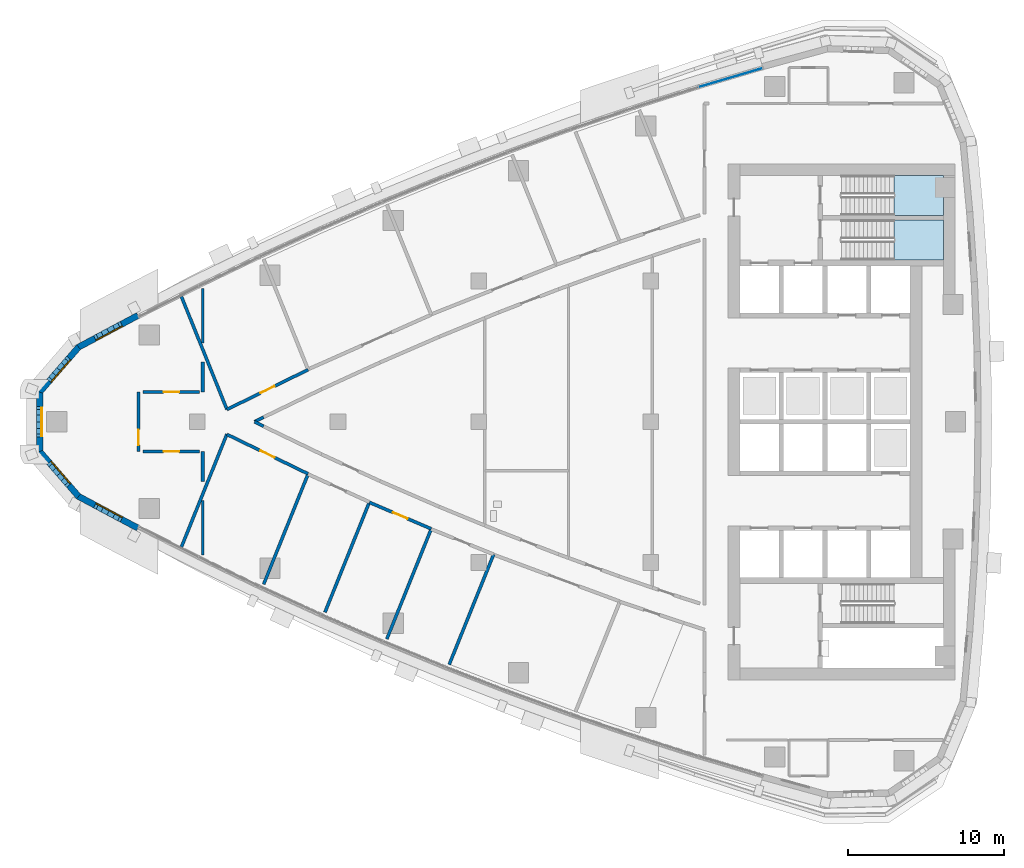
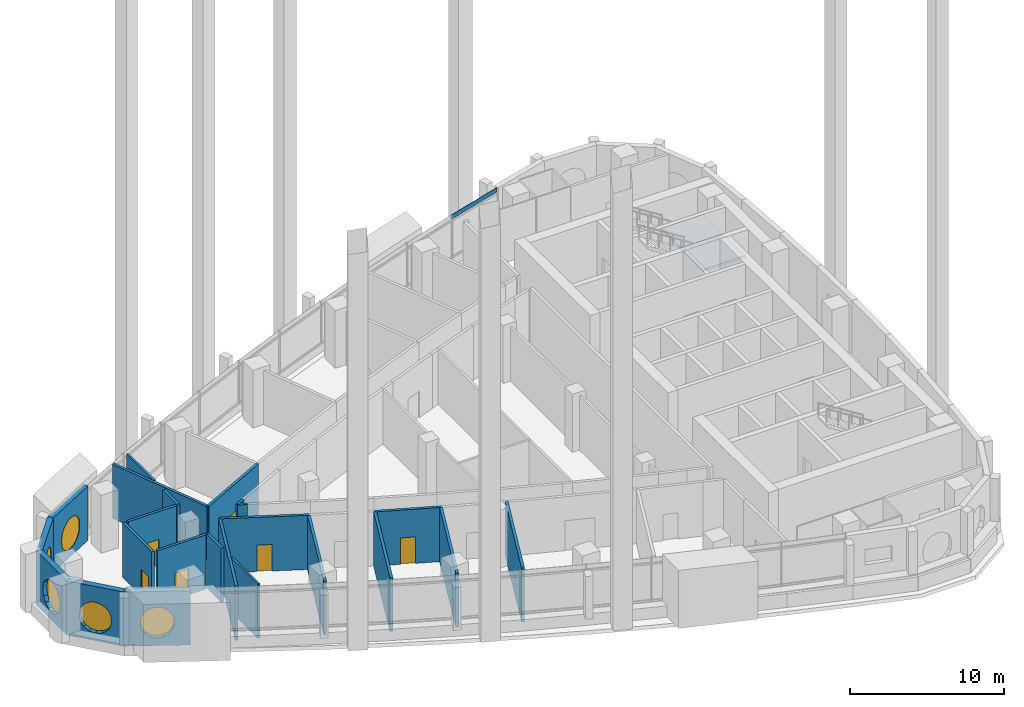
# One storey, part 7 of 19: 23 walls, 6 doors, 5 windows, 2 slabs, 1 plate, 11 openings, 3 elements without a shape of their own.
"""IFC4 building model written with IfcOpenShell, lengths in metres."""

from ifc_helpers import new_model, si_unit, direction, frame, frame_2d, origin, origin_2d, place, context, subcontext, project, spatial, polyline, rectangle, outline, extrude, material, layer, layer_set, type_object, element, fill, aggregate, save


model = new_model("IFC4")

# Units and contexts
model_context = context("Model", 3, precision=1e-05, world=origin(), true_north=direction((0.0, 1.0)))
body_context = subcontext(model_context, "Body", "Model", "MODEL_VIEW")
ifc_project = project(units=[si_unit("LENGTHUNIT", "METRE"), si_unit("AREAUNIT", "SQUARE_METRE"), si_unit("VOLUMEUNIT", "CUBIC_METRE"), si_unit("PLANEANGLEUNIT", "RADIAN"), si_unit("MASSUNIT", "GRAM", prefix="KILO")], contexts=[model_context])

# Site, building, storey
site_placement = place(None, origin())
site = spatial("IfcSite", under=ifc_project, at=site_placement, CompositionType="ELEMENT")
building_placement = place(site_placement, origin())
building = spatial("IfcBuilding", under=site, at=building_placement, Name="Ostrand Prow Hotel Tower", CompositionType="ELEMENT")
storey_placement = place(building_placement, frame((0.0, 0.0, 170.89990234375)))
storey = spatial("IfcBuildingStorey", under=building, at=storey_placement, Name="L42", CompositionType="ELEMENT", Elevation=170.89990234375)

# Curtain wall, plate
ifc_material_1 = material(Name="Insulated glass in bronze anodised frame", Category="glass")
ifc_layer_1 = layer(ifc_material_1, 0.199951171875)
ifc_layer_set_1 = layer_set([ifc_layer_1], Name="Insulated glass in bronze anodised frame")
curtain_wall_type = type_object("IfcCurtainWallType", Name="Sky lobby full-height curtain wall", PredefinedType="NOTDEFINED", material=ifc_layer_set_1)
curtain_wall_placement = place(storey_placement, origin())
curtain_wall = element("IfcCurtainWall", 1, at=curtain_wall_placement, inside=storey, type_object=curtain_wall_type, Name="CW3 run CWN1", PredefinedType="NOTDEFINED")
ifc_material_2 = material(Name="Low-iron clear glass", Category="glass")
ifc_layer_2 = layer(ifc_material_2, 0.031982421875)
ifc_layer_set_2 = layer_set([ifc_layer_2], Name="Low-iron clear glass")
plate_type = type_object("IfcPlateType", Name="Clear glass unit 32 mm", PredefinedType="CURTAIN_PANEL", material=ifc_layer_set_2)
plate_placement = place(storey_placement, frame((50.118896484375, 22.007080078125, 3.9599609375), z_axis=(0.0, 0.0, 1.0), x_axis=(-0.958662947758, -0.284544113619, 0.0)))
plate = element("IfcPlate", 2, at=plate_placement, type_object=plate_type, Name="CW3 PN-C panel 1.3", PredefinedType="CURTAIN_PANEL", context=body_context, shape_type="SweptSolid", body=[
    extrude(rectangle(XDim=4.2451171875, YDim=0.031982421875, at=origin_2d()), origin(), (0.0, 0.0, 1.0), 0.340087890625),
])
aggregate(curtain_wall, [plate])

# Stair, slab
ifc_material_3 = material(Name="Concrete C40/50", Category="concrete")
stair_type = type_object("IfcStairType", Name="Exit stair 1200 upper zone", PredefinedType="HALF_TURN_STAIR", material=ifc_material_3)
stair_1_placement = place(storey_placement, origin())
stair_1 = element("IfcStair", 3, at=stair_1_placement, inside=storey, type_object=stair_type, Name="L42 ST1C", PredefinedType="HALF_TURN_STAIR")
ifc_material_4 = material(Name="Concrete C40/50", Category="concrete")
ifc_layer_3 = layer(ifc_material_4, 0.199951171875)
ifc_layer_set_3 = layer_set([ifc_layer_3], Name="Concrete C40/50")
slab_type = type_object("IfcSlabType", Name="Stair landing 200 concrete", PredefinedType="LANDING", material=ifc_layer_set_3)
slab_1_placement = place(storey_placement, frame((0.0, 0.0, 2.10009765625)))
slab_1 = element("IfcSlab", 4, at=slab_1_placement, type_object=slab_type, Name="ST1C landing 1", PredefinedType="LANDING", context=body_context, shape_type="SweptSolid", body=[
    extrude(outline(polyline([(60.56005859375, 10.35009765625), (63.719970703125, 10.35009765625), (63.719970703125, 12.89990234375), (60.56005859375, 12.89990234375), (60.56005859375, 10.35009765625)])), origin(), (0.0, 0.0, 1.0), 0.199951171875),
])
aggregate(stair_1, [slab_1])

stair_2_placement = place(storey_placement, origin())
stair_2 = element("IfcStair", 5, at=stair_2_placement, inside=storey, type_object=stair_type, Name="L42 ST3C", PredefinedType="HALF_TURN_STAIR")
slab_2_placement = place(storey_placement, frame((0.0, 0.0, 2.10009765625)))
slab_2 = element("IfcSlab", 6, at=slab_2_placement, type_object=slab_type, Name="ST3C landing 1", PredefinedType="LANDING", context=body_context, shape_type="SweptSolid", body=[
    extrude(outline(polyline([(60.56005859375, 13.199951171875), (63.719970703125, 13.199951171875), (63.719970703125, 15.75), (60.56005859375, 15.75), (60.56005859375, 13.199951171875)])), origin(), (0.0, 0.0, 1.0), 0.199951171875),
])
aggregate(stair_2, [slab_2])

# Walls
ifc_material_5 = material(Name="Plasterboard partition")
ifc_layer_4 = layer(ifc_material_5, 0.14990234375)
ifc_layer_set_4 = layer_set([ifc_layer_4], Name="Plasterboard partition")
wall_type_1 = type_object("IfcWallType", Name="Partition 150 room partition", PredefinedType="PARTITIONING", material=ifc_layer_set_4)
for number, where, z_axis, x_axis, name in (
    (7, (16.35400390625, 8.519287109375, 0.0), (0.0, 0.0, 1.0), (0.0, -1.0, 0.0), "ROOM PARTITION"),
    (8, (16.35400390625, -5.0478515625, 0.0), (0.0, 0.0, 1.0), (0.0, -1.0, 0.0), "ROOM PARTITION"),
):
    element("IfcWall", number, at=place(storey_placement, frame(where, z_axis=z_axis, x_axis=x_axis)), inside=storey, type_object=wall_type_1, Name=name, PredefinedType="PARTITIONING", context=body_context, shape_type="SweptSolid", body=[
        extrude(rectangle(XDim=3.471435546875, YDim=0.14990234375, at=frame_2d((1.73583984375, 0.0))), origin(), (0.0, 0.0, 1.0), 4.300048828125),
    ])

# Wall, opening, door
ifc_material_6 = material(Name="Plasterboard partition")
ifc_layer_5 = layer(ifc_material_6, 0.199951171875)
ifc_layer_set_5 = layer_set([ifc_layer_5], Name="Plasterboard partition")
wall_type_2 = type_object("IfcWallType", Name="Partition 200 corridor wall", PredefinedType="PARTITIONING", material=ifc_layer_set_5)
wall_1_placement = place(storey_placement, frame((12.538818359375, 1.89990234375, 0.0), z_axis=(0.0, 0.0, 1.0), x_axis=(1.0, 0.0, 0.0)))
wall_1 = element("IfcWall", 9, at=wall_1_placement, inside=storey, type_object=wall_type_2, Name="CORRIDOR WALL", PredefinedType="PARTITIONING", context=body_context, shape_type="SweptSolid", body=[
    extrude(rectangle(XDim=3.615234375, YDim=0.199951171875, at=frame_2d((1.8076171875, 0.0))), origin(), (0.0, 0.0, 1.0), 4.300048828125),
])
opening_1_placement = place(wall_1_placement, frame((1.3076171875, 0.0, 0.0)))
opening_1 = element("IfcOpeningElement", 10, at=opening_1_placement, cuts=wall_1, Name="Opening D1", PredefinedType="OPENING", context=body_context, shape_type="SweptSolid", body=[
    extrude(rectangle(XDim=1.0, YDim=2.10009765625, at=frame_2d((0.5, 1.050048828125))), frame((0.0, 0.10986328125, 0.0), z_axis=(0.0, -1.0, 0.0), x_axis=(1.0, 0.0, 0.0)), (0.0, 0.0, 1.0), 0.219970703125),
])
ifc_material_7 = material(Name="Timber door leaf", Category="wood")
door_type_1 = type_object("IfcDoorType", Name="Guest room door 1000", OperationType="SINGLE_SWING_LEFT", PredefinedType="DOOR", material=ifc_material_7)
door_1_placement = place(opening_1_placement, origin())
door_1 = element("IfcDoor", 11, at=door_1_placement, inside=storey, type_object=door_type_1, Name="DOOR", OperationType="SINGLE_SWING_LEFT", OverallHeight=2.10009765625, OverallWidth=1.0, PredefinedType="DOOR", context=body_context, shape_type="SweptSolid", body=[
    extrude(rectangle(XDim=1.0, YDim=2.10009765625, at=frame_2d((0.5, 1.050048828125))), frame((0.0, 0.02490234375, 0.0), z_axis=(0.0, -1.0, 0.0), x_axis=(1.0, 0.0, 0.0)), (0.0, 0.0, 1.0), 0.050048828125),
])
fill(opening_1, door_1)

wall_2_placement = place(storey_placement, frame((12.538818359375, -1.89990234375, 0.0), z_axis=(0.0, 0.0, 1.0), x_axis=(1.0, 0.0, 0.0)))
wall_2 = element("IfcWall", 12, at=wall_2_placement, inside=storey, type_object=wall_type_2, Name="CORRIDOR WALL", PredefinedType="PARTITIONING", context=body_context, shape_type="SweptSolid", body=[
    extrude(rectangle(XDim=3.615234375, YDim=0.199951171875, at=frame_2d((1.8076171875, 0.0))), origin(), (0.0, 0.0, 1.0), 4.300048828125),
])
opening_2_placement = place(wall_2_placement, frame((1.3076171875, 0.0, 0.0)))
opening_2 = element("IfcOpeningElement", 13, at=opening_2_placement, cuts=wall_2, Name="Opening D1R", PredefinedType="OPENING", context=body_context, shape_type="SweptSolid", body=[
    extrude(rectangle(XDim=1.0, YDim=2.10009765625, at=frame_2d((0.5, 1.050048828125))), frame((0.0, 0.10986328125, 0.0), z_axis=(0.0, -1.0, 0.0), x_axis=(1.0, 0.0, 0.0)), (0.0, 0.0, 1.0), 0.219970703125),
])
ifc_material_8 = material(Name="Timber door leaf", Category="wood")
door_type_2 = type_object("IfcDoorType", Name="Guest room door 1000 right", OperationType="SINGLE_SWING_RIGHT", PredefinedType="DOOR", material=ifc_material_8)
door_2_placement = place(opening_2_placement, origin())
door_2 = element("IfcDoor", 14, at=door_2_placement, inside=storey, type_object=door_type_2, Name="DOOR", OperationType="SINGLE_SWING_RIGHT", OverallHeight=2.10009765625, OverallWidth=1.0, PredefinedType="DOOR", context=body_context, shape_type="SweptSolid", body=[
    extrude(rectangle(XDim=1.0, YDim=2.10009765625, at=frame_2d((0.5, 1.050048828125))), frame((0.0, 0.02490234375, 0.0), z_axis=(0.0, -1.0, 0.0), x_axis=(1.0, 0.0, 0.0)), (0.0, 0.0, 1.0), 0.050048828125),
])
fill(opening_2, door_2)

wall_3_placement = place(storey_placement, frame((17.89990234375, 0.784912109375, 0.0), z_axis=(0.0, 0.0, 1.0), x_axis=(0.897762010057, 0.440480843283, 0.0)))
wall_3 = element("IfcWall", 15, at=wall_3_placement, inside=storey, type_object=wall_type_2, Name="CORRIDOR WALL", PredefinedType="PARTITIONING", context=body_context, shape_type="SweptSolid", body=[
    extrude(rectangle(XDim=5.78369140625, YDim=0.199951171875, at=frame_2d((2.891845703125, 0.0))), origin(), (0.0, 0.0, 1.0), 4.300048828125),
])
opening_3_placement = place(wall_3_placement, frame((2.391845703125, 0.0, 0.0)))
opening_3 = element("IfcOpeningElement", 16, at=opening_3_placement, cuts=wall_3, Name="Opening D1R", PredefinedType="OPENING", context=body_context, shape_type="SweptSolid", body=[
    extrude(rectangle(XDim=1.0, YDim=2.10009765625, at=frame_2d((0.5, 1.050048828125))), frame((0.0, 0.10986328125, 0.0), z_axis=(0.0, -1.0, 0.0), x_axis=(1.0, 0.0, 0.0)), (0.0, 0.0, 1.0), 0.219970703125),
])
door_3_placement = place(opening_3_placement, origin())
door_3 = element("IfcDoor", 17, at=door_3_placement, inside=storey, type_object=door_type_2, Name="DOOR", OperationType="SINGLE_SWING_RIGHT", OverallHeight=2.10009765625, OverallWidth=1.0, PredefinedType="DOOR", context=body_context, shape_type="SweptSolid", body=[
    extrude(rectangle(XDim=1.0, YDim=2.10009765625, at=frame_2d((0.5, 1.050048828125))), frame((0.0, 0.02490234375, 0.0), z_axis=(0.0, -1.0, 0.0), x_axis=(1.0, 0.0, 0.0)), (0.0, 0.0, 1.0), 0.050048828125),
])
fill(opening_3, door_3)

wall_4_placement = place(storey_placement, frame((17.89990234375, -0.80712890625, 0.0), z_axis=(0.0, 0.0, 1.0), x_axis=(0.899278241665, -0.437377004503, 0.0)))
wall_4 = element("IfcWall", 18, at=wall_4_placement, inside=storey, type_object=wall_type_2, Name="CORRIDOR WALL", PredefinedType="PARTITIONING", context=body_context, shape_type="SweptSolid", body=[
    extrude(rectangle(XDim=5.77392578125, YDim=0.199951171875, at=frame_2d((2.886962890625, 0.0))), origin(), (0.0, 0.0, 1.0), 4.300048828125),
])
opening_4_placement = place(wall_4_placement, frame((2.386962890625, 0.0, 0.0)))
opening_4 = element("IfcOpeningElement", 19, at=opening_4_placement, cuts=wall_4, Name="Opening D1R", PredefinedType="OPENING", context=body_context, shape_type="SweptSolid", body=[
    extrude(rectangle(XDim=1.0, YDim=2.10009765625, at=frame_2d((0.5, 1.050048828125))), frame((0.0, 0.10986328125, 0.0), z_axis=(0.0, -1.0, 0.0), x_axis=(1.0, 0.0, 0.0)), (0.0, 0.0, 1.0), 0.219970703125),
])
door_4_placement = place(opening_4_placement, origin())
door_4 = element("IfcDoor", 20, at=door_4_placement, inside=storey, type_object=door_type_2, Name="DOOR", OperationType="SINGLE_SWING_RIGHT", OverallHeight=2.10009765625, OverallWidth=1.0, PredefinedType="DOOR", context=body_context, shape_type="SweptSolid", body=[
    extrude(rectangle(XDim=1.0, YDim=2.10009765625, at=frame_2d((0.5, 1.050048828125))), frame((0.0, 0.02490234375, 0.0), z_axis=(0.0, -1.0, 0.0), x_axis=(1.0, 0.0, 0.0)), (0.0, 0.0, 1.0), 0.050048828125),
])
fill(opening_4, door_4)

wall_5_placement = place(storey_placement, frame((27.004150390625, -5.1513671875, 0.0), z_axis=(0.0, 0.0, 1.0), x_axis=(0.919259282109, -0.393652603519, 0.0)))
wall_5 = element("IfcWall", 21, at=wall_5_placement, inside=storey, type_object=wall_type_2, Name="CORRIDOR WALL", PredefinedType="PARTITIONING", context=body_context, shape_type="SweptSolid", body=[
    extrude(rectangle(XDim=4.30908203125, YDim=0.199951171875, at=frame_2d((2.154541015625, 0.0))), origin(), (0.0, 0.0, 1.0), 4.300048828125),
])
opening_5_placement = place(wall_5_placement, frame((1.654541015625, 0.0, 0.0)))
opening_5 = element("IfcOpeningElement", 22, at=opening_5_placement, cuts=wall_5, Name="Opening D1R", PredefinedType="OPENING", context=body_context, shape_type="SweptSolid", body=[
    extrude(rectangle(XDim=1.0, YDim=2.10009765625, at=frame_2d((0.5, 1.050048828125))), frame((0.0, 0.10986328125, 0.0), z_axis=(0.0, -1.0, 0.0), x_axis=(1.0, 0.0, 0.0)), (0.0, 0.0, 1.0), 0.219970703125),
])
door_5_placement = place(opening_5_placement, origin())
door_5 = element("IfcDoor", 23, at=door_5_placement, inside=storey, type_object=door_type_2, Name="DOOR", OperationType="SINGLE_SWING_RIGHT", OverallHeight=2.10009765625, OverallWidth=1.0, PredefinedType="DOOR", context=body_context, shape_type="SweptSolid", body=[
    extrude(rectangle(XDim=1.0, YDim=2.10009765625, at=frame_2d((0.5, 1.050048828125))), frame((0.0, 0.02490234375, 0.0), z_axis=(0.0, -1.0, 0.0), x_axis=(1.0, 0.0, 0.0)), (0.0, 0.0, 1.0), 0.050048828125),
])
fill(opening_5, door_5)

# Walls
for number, where, z_axis, x_axis, name in (
    (24, (20.23876953125, -0.289794921875, 0.0), (0.0, 0.0, 1.0), (-0.891742518804, 0.45254312519, 0.0), "CORRIDOR WALL"),
    (25, (19.667724609375, 0.0, 0.0), (0.0, 0.0, 1.0), (0.891742518804, 0.45254312519, 0.0), "CORRIDOR WALL"),
):
    element("IfcWall", number, at=place(storey_placement, frame(where, z_axis=z_axis, x_axis=x_axis)), inside=storey, type_object=wall_type_2, Name=name, PredefinedType="PARTITIONING", context=body_context, shape_type="SweptSolid", body=[
        extrude(rectangle(XDim=0.640380859375, YDim=0.199951171875, at=frame_2d((0.3203125, 0.0))), origin(), (0.0, 0.0, 1.0), 4.300048828125),
    ])
for number, where, z_axis, x_axis, name in (
    (26, (16.35400390625, 3.8125, 0.0), (0.0, 0.0, 1.0), (0.0, -1.0, 0.0), "CORRIDOR WALL"),
    (27, (16.35400390625, -1.905029296875, 0.0), (0.0, 0.0, 1.0), (0.0, -1.0, 0.0), "CORRIDOR WALL"),
):
    element("IfcWall", number, at=place(storey_placement, frame(where, z_axis=z_axis, x_axis=x_axis)), inside=storey, type_object=wall_type_2, Name=name, PredefinedType="PARTITIONING", context=body_context, shape_type="SweptSolid", body=[
        extrude(rectangle(XDim=1.907470703125, YDim=0.199951171875, at=frame_2d((0.95361328125, 0.0))), origin(), (0.0, 0.0, 1.0), 4.300048828125),
    ])
ifc_material_9 = material(Name="Plasterboard partition")
ifc_layer_6 = layer(ifc_material_9, 0.199951171875)
ifc_layer_set_6 = layer_set([ifc_layer_6], Name="Plasterboard partition")
wall_type_3 = type_object("IfcWallType", Name="Partition 200 key partition", PredefinedType="PARTITIONING", material=ifc_layer_set_6)
for number, where, z_axis, x_axis, name in (
    (28, (14.987548828125, 8.009521484375, 0.0), (0.0, 0.0, 1.0), (0.373880500059, -0.927476884712, 0.0), "KEY PARTITION"),
    (29, (14.987548828125, -8.009521484375, 0.0), (0.0, 0.0, 1.0), (0.373880500059, 0.927476884712, 0.0), "KEY PARTITION"),
):
    element("IfcWall", number, at=place(storey_placement, frame(where, z_axis=z_axis, x_axis=x_axis)), inside=storey, type_object=wall_type_3, Name=name, PredefinedType="PARTITIONING", context=body_context, shape_type="SweptSolid", body=[
        extrude(rectangle(XDim=7.78955078125, YDim=0.199951171875, at=frame_2d((3.894775390625, 0.0))), origin(), (0.0, 0.0, 1.0), 4.300048828125),
    ])
wall_6_placement = place(storey_placement, frame((20.245849609375, -10.393310546875, 0.0), z_axis=(0.0, 0.0, 1.0), x_axis=(0.373894034942, 0.927471428473, 0.0)))
element("IfcWall", 30, at=wall_6_placement, inside=storey, type_object=wall_type_3, Name="KEY PARTITION", PredefinedType="PARTITIONING", context=body_context, shape_type="SweptSolid", body=[
    extrude(rectangle(XDim=7.613037109375, YDim=0.199951171875, at=frame_2d((3.806640625, 0.0))), origin(), (0.0, 0.0, 1.0), 4.300048828125),
])
wall_7_placement = place(storey_placement, frame((24.16845703125, -12.185302734375, 0.0), z_axis=(0.0, 0.0, 1.0), x_axis=(0.373913547423, 0.927463562116, 0.0)))
element("IfcWall", 31, at=wall_7_placement, inside=storey, type_object=wall_type_3, Name="KEY PARTITION", PredefinedType="PARTITIONING", context=body_context, shape_type="SweptSolid", body=[
    extrude(rectangle(XDim=7.60400390625, YDim=0.199951171875, at=frame_2d((3.802001953125, 0.0))), origin(), (0.0, 0.0, 1.0), 4.300048828125),
])
wall_8_placement = place(storey_placement, frame((28.123779296875, -13.896728515625, 0.0), z_axis=(0.0, 0.0, 1.0), x_axis=(0.373876084216, 0.927478664796, 0.0)))
element("IfcWall", 32, at=wall_8_placement, inside=storey, type_object=wall_type_3, Name="KEY PARTITION", PredefinedType="PARTITIONING", context=body_context, shape_type="SweptSolid", body=[
    extrude(rectangle(XDim=7.600341796875, YDim=0.199951171875, at=frame_2d((3.80029296875, 0.0))), origin(), (0.0, 0.0, 1.0), 4.300048828125),
])
wall_9_placement = place(storey_placement, frame((32.114013671875, -15.5283203125, 0.0), z_axis=(0.0, 0.0, 1.0), x_axis=(0.373881438439, 0.927476506436, 0.0)))
element("IfcWall", 33, at=wall_9_placement, inside=storey, type_object=wall_type_3, Name="KEY PARTITION", PredefinedType="PARTITIONING", context=body_context, shape_type="SweptSolid", body=[
    extrude(rectangle(XDim=7.600830078125, YDim=0.199951171875, at=frame_2d((3.80029296875, 0.0))), origin(), (0.0, 0.0, 1.0), 4.300048828125),
])

# Wall, opening, door
ifc_material_10 = material(Name="Plasterboard partition")
ifc_layer_7 = layer(ifc_material_10, 0.199951171875)
ifc_layer_set_7 = layer_set([ifc_layer_7], Name="Plasterboard partition")
wall_type_4 = type_object("IfcWallType", Name="Partition 200 lounge wall", PredefinedType="PARTITIONING", material=ifc_layer_set_7)
wall_10_placement = place(storey_placement, frame((12.23876953125, -1.89990234375, 0.0), z_axis=(0.0, 0.0, 1.0), x_axis=(0.0, 1.0, 0.0)))
wall_10 = element("IfcWall", 34, at=wall_10_placement, inside=storey, type_object=wall_type_4, Name="LOUNGE WALL", PredefinedType="PARTITIONING", context=body_context, shape_type="SweptSolid", body=[
    extrude(rectangle(XDim=3.7998046875, YDim=0.199951171875, at=frame_2d((1.89990234375, 0.0))), origin(), (0.0, 0.0, 1.0), 4.300048828125),
])
opening_6_placement = place(wall_10_placement, frame((0.39990234375, 0.0, 0.0)))
opening_6 = element("IfcOpeningElement", 35, at=opening_6_placement, cuts=wall_10, Name="Opening D1", PredefinedType="OPENING", context=body_context, shape_type="SweptSolid", body=[
    extrude(rectangle(XDim=1.0, YDim=2.10009765625, at=frame_2d((0.5, 1.050048828125))), frame((0.0, 0.10986328125, 0.0), z_axis=(0.0, -1.0, 0.0), x_axis=(1.0, 0.0, 0.0)), (0.0, 0.0, 1.0), 0.219970703125),
])
door_6_placement = place(opening_6_placement, origin())
door_6 = element("IfcDoor", 36, at=door_6_placement, inside=storey, type_object=door_type_1, Name="DOOR", OperationType="SINGLE_SWING_LEFT", OverallHeight=2.10009765625, OverallWidth=1.0, PredefinedType="DOOR", context=body_context, shape_type="SweptSolid", body=[
    extrude(rectangle(XDim=1.0, YDim=2.10009765625, at=frame_2d((0.5, 1.050048828125))), frame((0.0, 0.02490234375, 0.0), z_axis=(0.0, -1.0, 0.0), x_axis=(1.0, 0.0, 0.0)), (0.0, 0.0, 1.0), 0.050048828125),
])
fill(opening_6, door_6)

# Wall, opening, window
ifc_material_11 = material(Name="Precast concrete C40/50", Category="concrete")
ifc_layer_8 = layer(ifc_material_11, 0.39990234375)
ifc_layer_set_8 = layer_set([ifc_layer_8], Name="Precast concrete C40/50")
wall_type_5 = type_object("IfcWallType", Name="Stone-faced precast wall 400 mm", PredefinedType="NOTDEFINED", material=ifc_layer_set_8)
wall_11_placement = place(storey_placement, frame((12.209716796875, 6.801025390625, 0.0), z_axis=(0.0, 0.0, 1.0), x_axis=(-0.882385889746, -0.470526451518, 0.0)))
wall_11 = element("IfcWall", 37, at=wall_11_placement, inside=storey, type_object=wall_type_5, Name="Stone-faced wall prow 1", PredefinedType="NOTDEFINED", context=body_context, shape_type="SweptSolid", body=[
    extrude(outline(polyline([(0.0, -0.199951171875), (4.34423828125, -0.199951171875), (4.27001953125, 0.199951171875), (0.0, 0.199951171875), (0.0, -0.199951171875)])), origin(), (0.0, 0.0, 1.0), 4.300048828125),
])
opening_7_placement = place(wall_11_placement, frame((1.053466796875, 0.0, 0.60009765625)))
opening_7 = element("IfcOpeningElement", 38, at=opening_7_placement, cuts=wall_11, Name="Opening WP2", PredefinedType="OPENING", context=body_context, shape_type="SweptSolid", body=[
    extrude(outline(polyline([(0.0, 1.35009765625), (0.083740234375, 1.77099609375), (0.322265625, 2.127685546875), (0.678955078125, 2.3662109375), (1.10009765625, 2.449951171875), (1.52099609375, 2.3662109375), (1.877685546875, 2.127685546875), (2.1162109375, 1.77099609375), (2.199951171875, 1.35009765625), (2.199951171875, 1.10009765625), (2.1162109375, 0.678955078125), (1.877685546875, 0.322265625), (1.52099609375, 0.083740234375), (1.10009765625, 0.0), (0.678955078125, 0.083740234375), (0.322265625, 0.322265625), (0.083740234375, 0.678955078125), (0.0, 1.099853515625), (0.0, 1.35009765625)])), frame((0.0, 0.2099609375, 0.0), z_axis=(0.0, -1.0, 0.0), x_axis=(1.0, 0.0, 0.0)), (0.0, 0.0, 1.0), 0.419921875),
])
ifc_material_12 = material(Name="Insulated glass in bronze frame", Category="glass")
window_type = type_object("IfcWindowType", Name="Round-ended prow lounge window 2200x2450", PartitioningType="SINGLE_PANEL", PredefinedType="WINDOW", material=ifc_material_12)
window_1_placement = place(opening_7_placement, origin())
window_1 = element("IfcWindow", 39, at=window_1_placement, inside=storey, type_object=window_type, Name="Window prow 1.1", OverallHeight=2.449951171875, OverallWidth=2.199951171875, PartitioningType="SINGLE_PANEL", PredefinedType="WINDOW", context=body_context, shape_type="SweptSolid", body=[
    extrude(outline(polyline([(0.0, 1.35009765625), (0.083740234375, 1.77099609375), (0.322265625, 2.127685546875), (0.678955078125, 2.3662109375), (1.10009765625, 2.449951171875), (1.52099609375, 2.3662109375), (1.877685546875, 2.127685546875), (2.1162109375, 1.77099609375), (2.199951171875, 1.35009765625), (2.199951171875, 1.10009765625), (2.1162109375, 0.678955078125), (1.877685546875, 0.322265625), (1.52099609375, 0.083740234375), (1.10009765625, 0.0), (0.678955078125, 0.083740234375), (0.322265625, 0.322265625), (0.083740234375, 0.678955078125), (0.0, 1.099853515625), (0.0, 1.35009765625)])), frame((0.0, 0.169921875, 0.0), z_axis=(0.0, -1.0, 0.0), x_axis=(1.0, 0.0, 0.0)), (0.0, 0.0, 1.0), 0.06005859375),
])
fill(opening_7, window_1)

wall_12_placement = place(storey_placement, frame((8.4091796875, 4.7744140625, 0.0), z_axis=(0.0, 0.0, 1.0), x_axis=(-0.654759384203, -0.755837382509, 0.0)))
wall_12 = element("IfcWall", 40, at=wall_12_placement, inside=storey, type_object=wall_type_5, Name="Stone-faced wall prow 2", PredefinedType="NOTDEFINED", context=body_context, shape_type="SweptSolid", body=[
    extrude(outline(polyline([(-0.037109375, -0.199951171875), (3.87646484375, -0.199951171875), (3.72705078125, 0.199951171875), (0.037109375, 0.199951171875), (-0.037109375, -0.199951171875)])), origin(), (0.0, 0.0, 1.0), 4.300048828125),
])
opening_8_placement = place(wall_12_placement, frame((0.80078125, 0.0, 0.60009765625)))
opening_8 = element("IfcOpeningElement", 41, at=opening_8_placement, cuts=wall_12, Name="Opening WP2", PredefinedType="OPENING", context=body_context, shape_type="SweptSolid", body=[
    extrude(outline(polyline([(0.0, 1.35009765625), (0.083740234375, 1.77099609375), (0.322265625, 2.127685546875), (0.678955078125, 2.3662109375), (1.10009765625, 2.449951171875), (1.52099609375, 2.3662109375), (1.877685546875, 2.127685546875), (2.1162109375, 1.77099609375), (2.199951171875, 1.35009765625), (2.199951171875, 1.10009765625), (2.1162109375, 0.678955078125), (1.877685546875, 0.322265625), (1.52099609375, 0.083740234375), (1.10009765625, 0.0), (0.678955078125, 0.083740234375), (0.322265625, 0.322265625), (0.083740234375, 0.678955078125), (0.0, 1.099853515625), (0.0, 1.35009765625)])), frame((0.0, 0.2099609375, 0.0), z_axis=(0.0, -1.0, 0.0), x_axis=(1.0, 0.0, 0.0)), (0.0, 0.0, 1.0), 0.419921875),
])
window_2_placement = place(opening_8_placement, origin())
window_2 = element("IfcWindow", 42, at=window_2_placement, inside=storey, type_object=window_type, Name="Window prow 2.1", OverallHeight=2.449951171875, OverallWidth=2.199951171875, PartitioningType="SINGLE_PANEL", PredefinedType="WINDOW", context=body_context, shape_type="SweptSolid", body=[
    extrude(outline(polyline([(0.0, 1.35009765625), (0.083740234375, 1.77099609375), (0.322265625, 2.127685546875), (0.678955078125, 2.3662109375), (1.10009765625, 2.449951171875), (1.52099609375, 2.3662109375), (1.877685546875, 2.127685546875), (2.1162109375, 1.77099609375), (2.199951171875, 1.35009765625), (2.199951171875, 1.10009765625), (2.1162109375, 0.678955078125), (1.877685546875, 0.322265625), (1.52099609375, 0.083740234375), (1.10009765625, 0.0), (0.678955078125, 0.083740234375), (0.322265625, 0.322265625), (0.083740234375, 0.678955078125), (0.0, 1.099853515625), (0.0, 1.35009765625)])), frame((0.0, 0.169921875, 0.0), z_axis=(0.0, -1.0, 0.0), x_axis=(1.0, 0.0, 0.0)), (0.0, 0.0, 1.0), 0.06005859375),
])
fill(opening_8, window_2)

wall_13_placement = place(storey_placement, frame((5.919921875, 1.90087890625, 0.0), z_axis=(0.0, 0.0, 1.0), x_axis=(0.0, -1.0, 0.0)))
wall_13 = element("IfcWall", 43, at=wall_13_placement, inside=storey, type_object=wall_type_5, Name="Stone-faced wall prow 3", PredefinedType="NOTDEFINED", context=body_context, shape_type="SweptSolid", body=[
    extrude(outline(polyline([(-0.07470703125, -0.199951171875), (3.87646484375, -0.199951171875), (3.72705078125, 0.199951171875), (0.07470703125, 0.199951171875), (-0.07470703125, -0.199951171875)])), origin(), (0.0, 0.0, 1.0), 4.300048828125),
])
opening_9_placement = place(wall_13_placement, frame((0.80078125, 0.0, 0.60009765625)))
opening_9 = element("IfcOpeningElement", 44, at=opening_9_placement, cuts=wall_13, Name="Opening WP2", PredefinedType="OPENING", context=body_context, shape_type="SweptSolid", body=[
    extrude(outline(polyline([(0.0, 1.35009765625), (0.083740234375, 1.77099609375), (0.322265625, 2.127685546875), (0.678955078125, 2.3662109375), (1.10009765625, 2.449951171875), (1.52099609375, 2.3662109375), (1.877685546875, 2.127685546875), (2.1162109375, 1.77099609375), (2.199951171875, 1.35009765625), (2.199951171875, 1.10009765625), (2.1162109375, 0.678955078125), (1.877685546875, 0.322265625), (1.52099609375, 0.083740234375), (1.10009765625, 0.0), (0.678955078125, 0.083740234375), (0.322265625, 0.322265625), (0.083740234375, 0.678955078125), (0.0, 1.099853515625), (0.0, 1.35009765625)])), frame((0.0, 0.2099609375, 0.0), z_axis=(0.0, -1.0, 0.0), x_axis=(1.0, 0.0, 0.0)), (0.0, 0.0, 1.0), 0.419921875),
])
window_3_placement = place(opening_9_placement, origin())
window_3 = element("IfcWindow", 45, at=window_3_placement, inside=storey, type_object=window_type, Name="Window prow 3.1", OverallHeight=2.449951171875, OverallWidth=2.199951171875, PartitioningType="SINGLE_PANEL", PredefinedType="WINDOW", context=body_context, shape_type="SweptSolid", body=[
    extrude(outline(polyline([(0.0, 1.35009765625), (0.083740234375, 1.77099609375), (0.322265625, 2.127685546875), (0.678955078125, 2.3662109375), (1.10009765625, 2.449951171875), (1.52099609375, 2.3662109375), (1.877685546875, 2.127685546875), (2.1162109375, 1.77099609375), (2.199951171875, 1.35009765625), (2.199951171875, 1.10009765625), (2.1162109375, 0.678955078125), (1.877685546875, 0.322265625), (1.52099609375, 0.083740234375), (1.10009765625, 0.0), (0.678955078125, 0.083740234375), (0.322265625, 0.322265625), (0.083740234375, 0.678955078125), (0.0, 1.099853515625), (0.0, 1.35009765625)])), frame((0.0, 0.169921875, 0.0), z_axis=(0.0, -1.0, 0.0), x_axis=(1.0, 0.0, 0.0)), (0.0, 0.0, 1.0), 0.06005859375),
])
fill(opening_9, window_3)

wall_14_placement = place(storey_placement, frame((5.919921875, -1.90087890625, 0.0), z_axis=(0.0, 0.0, 1.0), x_axis=(0.654759384203, -0.755837382509, 0.0)))
wall_14 = element("IfcWall", 46, at=wall_14_placement, inside=storey, type_object=wall_type_5, Name="Stone-faced wall prow 4", PredefinedType="NOTDEFINED", context=body_context, shape_type="SweptSolid", body=[
    extrude(outline(polyline([(-0.07470703125, -0.199951171875), (3.8388671875, -0.199951171875), (3.7646484375, 0.199951171875), (0.07470703125, 0.199951171875), (-0.07470703125, -0.199951171875)])), origin(), (0.0, 0.0, 1.0), 4.300048828125),
])
opening_10_placement = place(wall_14_placement, frame((0.80078125, 0.0, 0.60009765625)))
opening_10 = element("IfcOpeningElement", 47, at=opening_10_placement, cuts=wall_14, Name="Opening WP2", PredefinedType="OPENING", context=body_context, shape_type="SweptSolid", body=[
    extrude(outline(polyline([(0.0, 1.35009765625), (0.083740234375, 1.77099609375), (0.322265625, 2.127685546875), (0.678955078125, 2.3662109375), (1.10009765625, 2.449951171875), (1.52099609375, 2.3662109375), (1.877685546875, 2.127685546875), (2.1162109375, 1.77099609375), (2.199951171875, 1.35009765625), (2.199951171875, 1.10009765625), (2.1162109375, 0.678955078125), (1.877685546875, 0.322265625), (1.52099609375, 0.083740234375), (1.10009765625, 0.0), (0.678955078125, 0.083740234375), (0.322265625, 0.322265625), (0.083740234375, 0.678955078125), (0.0, 1.099853515625), (0.0, 1.35009765625)])), frame((0.0, 0.2099609375, 0.0), z_axis=(0.0, -1.0, 0.0), x_axis=(1.0, 0.0, 0.0)), (0.0, 0.0, 1.0), 0.419921875),
])
window_4_placement = place(opening_10_placement, origin())
window_4 = element("IfcWindow", 48, at=window_4_placement, inside=storey, type_object=window_type, Name="Window prow 4.1", OverallHeight=2.449951171875, OverallWidth=2.199951171875, PartitioningType="SINGLE_PANEL", PredefinedType="WINDOW", context=body_context, shape_type="SweptSolid", body=[
    extrude(outline(polyline([(0.0, 1.35009765625), (0.083740234375, 1.77099609375), (0.322265625, 2.127685546875), (0.678955078125, 2.3662109375), (1.10009765625, 2.449951171875), (1.52099609375, 2.3662109375), (1.877685546875, 2.127685546875), (2.1162109375, 1.77099609375), (2.199951171875, 1.35009765625), (2.199951171875, 1.10009765625), (2.1162109375, 0.678955078125), (1.877685546875, 0.322265625), (1.52099609375, 0.083740234375), (1.10009765625, 0.0), (0.678955078125, 0.083740234375), (0.322265625, 0.322265625), (0.083740234375, 0.678955078125), (0.0, 1.099853515625), (0.0, 1.35009765625)])), frame((0.0, 0.169921875, 0.0), z_axis=(0.0, -1.0, 0.0), x_axis=(1.0, 0.0, 0.0)), (0.0, 0.0, 1.0), 0.06005859375),
])
fill(opening_10, window_4)

wall_15_placement = place(storey_placement, frame((8.4091796875, -4.7744140625, 0.0), z_axis=(0.0, 0.0, 1.0), x_axis=(0.882385889746, -0.470526451518, 0.0)))
wall_15 = element("IfcWall", 49, at=wall_15_placement, inside=storey, type_object=wall_type_5, Name="Stone-faced wall prow 5", PredefinedType="NOTDEFINED", context=body_context, shape_type="SweptSolid", body=[
    extrude(outline(polyline([(-0.037109375, -0.199951171875), (4.30712890625, -0.199951171875), (4.30712890625, 0.199951171875), (0.037109375, 0.199951171875), (-0.037109375, -0.199951171875)])), origin(), (0.0, 0.0, 1.0), 4.300048828125),
])
opening_11_placement = place(wall_15_placement, frame((1.053466796875, 0.0, 0.60009765625)))
opening_11 = element("IfcOpeningElement", 50, at=opening_11_placement, cuts=wall_15, Name="Opening WP2", PredefinedType="OPENING", context=body_context, shape_type="SweptSolid", body=[
    extrude(outline(polyline([(0.0, 1.35009765625), (0.083740234375, 1.77099609375), (0.322265625, 2.127685546875), (0.678955078125, 2.3662109375), (1.10009765625, 2.449951171875), (1.52099609375, 2.3662109375), (1.877685546875, 2.127685546875), (2.1162109375, 1.77099609375), (2.199951171875, 1.35009765625), (2.199951171875, 1.10009765625), (2.1162109375, 0.678955078125), (1.877685546875, 0.322265625), (1.52099609375, 0.083740234375), (1.10009765625, 0.0), (0.678955078125, 0.083740234375), (0.322265625, 0.322265625), (0.083740234375, 0.678955078125), (0.0, 1.099853515625), (0.0, 1.35009765625)])), frame((0.0, 0.2099609375, 0.0), z_axis=(0.0, -1.0, 0.0), x_axis=(1.0, 0.0, 0.0)), (0.0, 0.0, 1.0), 0.419921875),
])
window_5_placement = place(opening_11_placement, origin())
window_5 = element("IfcWindow", 51, at=window_5_placement, inside=storey, type_object=window_type, Name="Window prow 5.1", OverallHeight=2.449951171875, OverallWidth=2.199951171875, PartitioningType="SINGLE_PANEL", PredefinedType="WINDOW", context=body_context, shape_type="SweptSolid", body=[
    extrude(outline(polyline([(0.0, 1.35009765625), (0.083740234375, 1.77099609375), (0.322265625, 2.127685546875), (0.678955078125, 2.3662109375), (1.10009765625, 2.449951171875), (1.52099609375, 2.3662109375), (1.877685546875, 2.127685546875), (2.1162109375, 1.77099609375), (2.199951171875, 1.35009765625), (2.199951171875, 1.10009765625), (2.1162109375, 0.678955078125), (1.877685546875, 0.322265625), (1.52099609375, 0.083740234375), (1.10009765625, 0.0), (0.678955078125, 0.083740234375), (0.322265625, 0.322265625), (0.083740234375, 0.678955078125), (0.0, 1.099853515625), (0.0, 1.35009765625)])), frame((0.0, 0.169921875, 0.0), z_axis=(0.0, -1.0, 0.0), x_axis=(1.0, 0.0, 0.0)), (0.0, 0.0, 1.0), 0.06005859375),
])
fill(opening_11, window_5)

save(model, "model.ifc")
